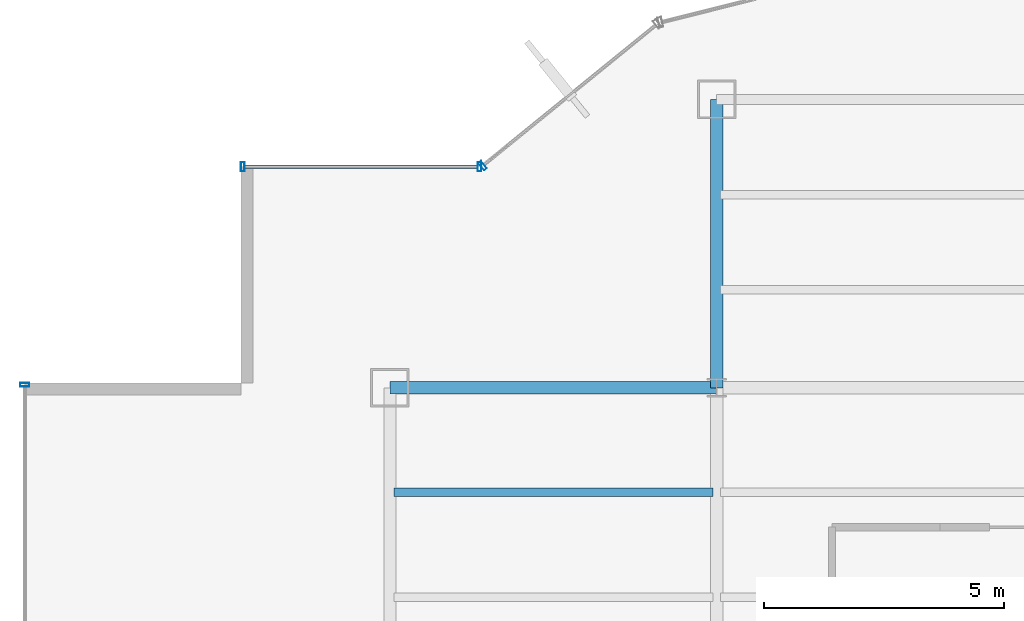
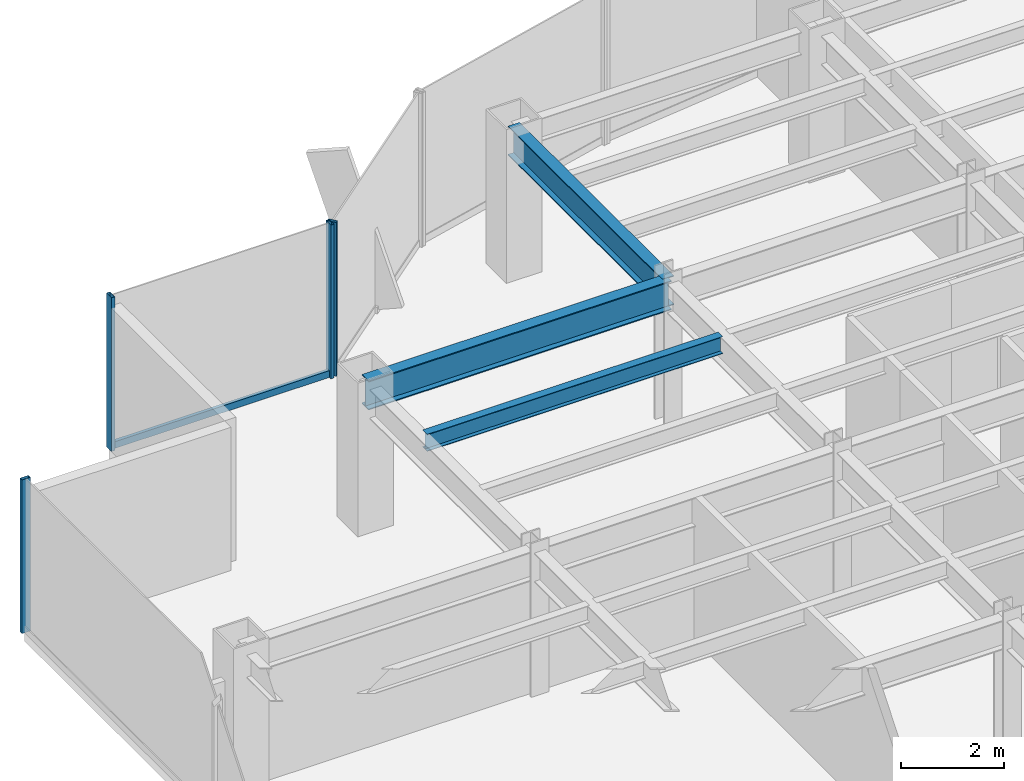
# One storey, part 13 of 26: 5 members, 3 beams, 3 elements without a shape of their own.
"""IFC4 building model written with IfcOpenShell, lengths in metres."""

from ifc_helpers import new_model, si_unit, derived_unit, direction, frame, origin, origin_2d, place, context, subcontext, project, spatial, hollow_rectangle, i_section, extrude, source, transform, mapped, material, material_profile, profile_set, type_object, element, aggregate, save


model = new_model("IFC4")

# Units and contexts
model_context = context("Model", 3, precision=1e-05, world=origin(), true_north=direction((0.0, 1.0)))
body_context = subcontext(model_context, "Body", "Model", "MODEL_VIEW")
ifc_project = project(units=[si_unit("LENGTHUNIT", "METRE"), si_unit("AREAUNIT", "SQUARE_METRE"), si_unit("VOLUMEUNIT", "CUBIC_METRE"), si_unit("PLANEANGLEUNIT", "RADIAN"), si_unit("MASSUNIT", "GRAM", prefix="KILO"), derived_unit("THERMALTRANSMITTANCEUNIT", [(si_unit("POWERUNIT", "WATT"), 1), (si_unit("LENGTHUNIT", "METRE"), -2), (si_unit("THERMODYNAMICTEMPERATUREUNIT", "KELVIN"), -1)])], contexts=[model_context])

# Site, building, storey
site_placement = place(None, origin())
site = spatial("IfcSite", under=ifc_project, at=site_placement, CompositionType="ELEMENT")
building_placement = place(site_placement, origin())
building = spatial("IfcBuilding", under=site, at=building_placement, Name="Skarnbrae Concourse Arena and Tower", CompositionType="ELEMENT")
storey_placement = place(building_placement, frame((0.0, 0.0, 110.550048828125)))
storey = spatial("IfcBuildingStorey", under=building, at=storey_placement, Name="L27", CompositionType="ELEMENT", Elevation=110.550048828125)

# Beams
ifc_material_1 = material(Name="Steel CSA G40.21 350W", Category="steel")
ifc_material_profile_1 = material_profile(ifc_material_1, i_section(OverallWidth=0.256103515625, OverallDepth=0.693115234375, WebThickness=0.014404296875, FlangeThickness=0.023681640625, at=origin_2d()), Name="W690X170")
ifc_profile_set_1 = profile_set([ifc_material_profile_1], Name="Steel CSA G40.21 350W")
beam_type_1 = type_object("IfcBeamType", Name="BM-GIRD-W690X170", PredefinedType="BEAM", material=ifc_profile_set_1)
shared_shape_1 = source(origin(), body_context, "Body", "SweptSolid", [
    extrude(i_section(OverallWidth=0.256103515625, OverallDepth=0.693115234375, WebThickness=0.014404296875, FlangeThickness=0.023681640625, at=origin_2d()), origin(), (0.0, 0.0, 1.0), 6.7998046875),
])
beam_1_placement = place(storey_placement, frame((7.60009765625, 34.39990234375, 3.053466796875), z_axis=(1.0, 0.0, 0.0), x_axis=(0.0, 1.0, 0.0)))
element("IfcBeam", 1, at=beam_1_placement, inside=storey, type_object=beam_type_1, Name="L27 Primary E-W girder Y34.4-1", PredefinedType="BEAM", context=body_context, shape_type="MappedRepresentation", body=[
    mapped(shared_shape_1, transform((0.0, 0.0, 0.0))),
])
shared_shape_2 = source(origin(), body_context, "Body", "SweptSolid", [
    extrude(i_section(OverallWidth=0.256103515625, OverallDepth=0.693115234375, WebThickness=0.014404296875, FlangeThickness=0.023681640625, at=origin_2d()), origin(), (0.0, 0.0, 1.0), 6.0),
])
beam_2_placement = place(storey_placement, frame((14.39990234375, 34.39990234375, 3.053466796875), z_axis=(0.0, 1.0, 0.0), x_axis=(-1.0, 0.0, 0.0)))
element("IfcBeam", 2, at=beam_2_placement, inside=storey, type_object=beam_type_1, Name="L27 Primary N-S girder X14.4-4", PredefinedType="BEAM", context=body_context, shape_type="MappedRepresentation", body=[
    mapped(shared_shape_2, transform((0.0, 0.0, 0.0))),
])
ifc_material_profile_2 = material_profile(ifc_material_1, i_section(OverallWidth=0.177978515625, OverallDepth=0.406982421875, WebThickness=0.0078125, FlangeThickness=0.0126953125, at=origin_2d()), Name="W410X60")
ifc_profile_set_2 = profile_set([ifc_material_profile_2], Name="Steel CSA G40.21 350W")
beam_type_2 = type_object("IfcBeamType", Name="BM-JOIST-W410X60", PredefinedType="JOIST", material=ifc_profile_set_2)
shared_shape_3 = source(origin(), body_context, "Body", "SweptSolid", [
    extrude(i_section(OverallWidth=0.177978515625, OverallDepth=0.406982421875, WebThickness=0.0078125, FlangeThickness=0.0126953125, at=origin_2d()), origin(), (0.0, 0.0, 1.0), 6.64013671875),
])
beam_3_placement = place(storey_placement, frame((7.679931640625, 32.221923828125, 3.196533203125), z_axis=(1.0, 0.0, 0.0), x_axis=(0.0, 1.0, 0.0)))
element("IfcBeam", 3, at=beam_3_placement, inside=storey, type_object=beam_type_2, Name="L27 Secondary floor joist 3.2.1", PredefinedType="JOIST", context=body_context, shape_type="MappedRepresentation", body=[
    mapped(shared_shape_3, transform((0.0, 0.0, 0.0))),
])

# Curtain wall, member
ifc_material_2 = material(Name="Bronze anodised aluminium 6063-T6", Category="aluminium")
curtain_wall_type = type_object("IfcCurtainWallType", Name="CW-SYS-04-MIDZONE", PredefinedType="USERDEFINED", material=ifc_material_2)
curtain_wall_1_placement = place(storey_placement, origin())
curtain_wall_1 = element("IfcCurtainWall", 4, at=curtain_wall_1_placement, inside=storey, type_object=curtain_wall_type, Name="L27 Unitised curtain wall CW-L27-E16", ObjectType="UNITISED CURTAIN WALL", PredefinedType="USERDEFINED")
ifc_material_profile_3 = material_profile(ifc_material_2, hollow_rectangle(XDim=0.074951171875, YDim=0.159912109375, WallThickness=0.00439453125, at=origin_2d()), Name="ALU-TRAN-75X160")
ifc_profile_set_3 = profile_set([ifc_material_profile_3], Name="Bronze anodised aluminium 6063-T6")
member_type_1 = type_object("IfcMemberType", Name="CWT-CW-04", PredefinedType="USERDEFINED", material=ifc_profile_set_3)
shared_shape_4 = source(origin(), body_context, "Body", "SweptSolid", [
    extrude(hollow_rectangle(XDim=0.074951171875, YDim=0.159912109375, WallThickness=0.00439453125, at=origin_2d()), origin(), (0.0, 0.0, 1.0), 4.85009765625),
])
member_1_placement = place(storey_placement, frame((9.425048828125, 39.0, 0.079833984375), z_axis=(-1.0, 0.0, 0.0), x_axis=(0.0, -1.0, 0.0)))
member_1 = element("IfcMember", 5, at=member_1_placement, type_object=member_type_1, Name="CW-L27-E16 Transom 1", ObjectType="TRANSOM", PredefinedType="USERDEFINED", context=body_context, shape_type="MappedRepresentation", body=[
    mapped(shared_shape_4, transform((0.0, 0.0, 0.0))),
])

curtain_wall_2_placement = place(storey_placement, origin())
curtain_wall_2 = element("IfcCurtainWall", 6, at=curtain_wall_2_placement, inside=storey, type_object=curtain_wall_type, Name="L27 Unitised curtain wall CW-L27-E15", ObjectType="UNITISED CURTAIN WALL", PredefinedType="USERDEFINED")
ifc_material_profile_4 = material_profile(ifc_material_2, hollow_rectangle(XDim=0.074951171875, YDim=0.195068359375, WallThickness=0.00439453125, at=origin_2d()), Name="ALU-MULL-75X195")
ifc_profile_set_4 = profile_set([ifc_material_profile_4], Name="Bronze anodised aluminium 6063-T6")
member_type_2 = type_object("IfcMemberType", Name="CWM-CW-04", PredefinedType="MULLION", material=ifc_profile_set_4)
shared_shape_5 = source(origin(), body_context, "Body", "SweptSolid", [
    extrude(hollow_rectangle(XDim=0.074951171875, YDim=0.195068359375, WallThickness=0.00439453125, at=origin_2d()), origin(), (0.0, 0.0, 1.0), 3.64990234375),
])
member_2_placement = place(storey_placement, frame((9.529052734375, 39.023681640625, 0.0), z_axis=(0.0, 0.0, 1.0), x_axis=(-0.776241200471, -0.630436038542, 0.0)))
member_2 = element("IfcMember", 7, at=member_2_placement, type_object=member_type_2, Name="CW-L27-E15 Mullion 2", PredefinedType="MULLION", context=body_context, shape_type="MappedRepresentation", body=[
    mapped(shared_shape_5, transform((0.0, 0.0, 0.0))),
])
aggregate(curtain_wall_2, [member_2])

# Member
member_3_placement = place(storey_placement, frame((9.46240234375, 39.0, 0.0), z_axis=(0.0, 0.0, 1.0), x_axis=(-1.0, 0.0, 0.0)))
member_3 = element("IfcMember", 8, at=member_3_placement, type_object=member_type_2, Name="CW-L27-E16 Mullion 1", PredefinedType="MULLION", context=body_context, shape_type="MappedRepresentation", body=[
    mapped(shared_shape_5, transform((0.0, 0.0, 0.0))),
])

member_4_placement = place(storey_placement, frame((4.53759765625, 39.0, 0.0), z_axis=(0.0, 0.0, 1.0), x_axis=(-1.0, 0.0, 0.0)))
member_4 = element("IfcMember", 9, at=member_4_placement, type_object=member_type_2, Name="CW-L27-E16 Mullion 2", PredefinedType="MULLION", context=body_context, shape_type="MappedRepresentation", body=[
    mapped(shared_shape_5, transform((0.0, 0.0, 0.0))),
])

aggregate(curtain_wall_1, [member_3, member_4, member_1])

# Curtain wall, member
curtain_wall_3_placement = place(storey_placement, origin())
curtain_wall_3 = element("IfcCurtainWall", 10, at=curtain_wall_3_placement, inside=storey, type_object=curtain_wall_type, Name="L27 Unitised curtain wall CW-L27-E19", ObjectType="UNITISED CURTAIN WALL", PredefinedType="USERDEFINED")
member_5_placement = place(storey_placement, frame((0.0, 34.46240234375, 0.0), z_axis=(0.0, 0.0, 1.0), x_axis=(0.0, -1.0, 0.0)))
member_5 = element("IfcMember", 11, at=member_5_placement, type_object=member_type_2, Name="CW-L27-E19 Mullion 1", PredefinedType="MULLION", context=body_context, shape_type="MappedRepresentation", body=[
    mapped(shared_shape_5, transform((0.0, 0.0, 0.0))),
])
aggregate(curtain_wall_3, [member_5])

save(model, "model.ifc")
